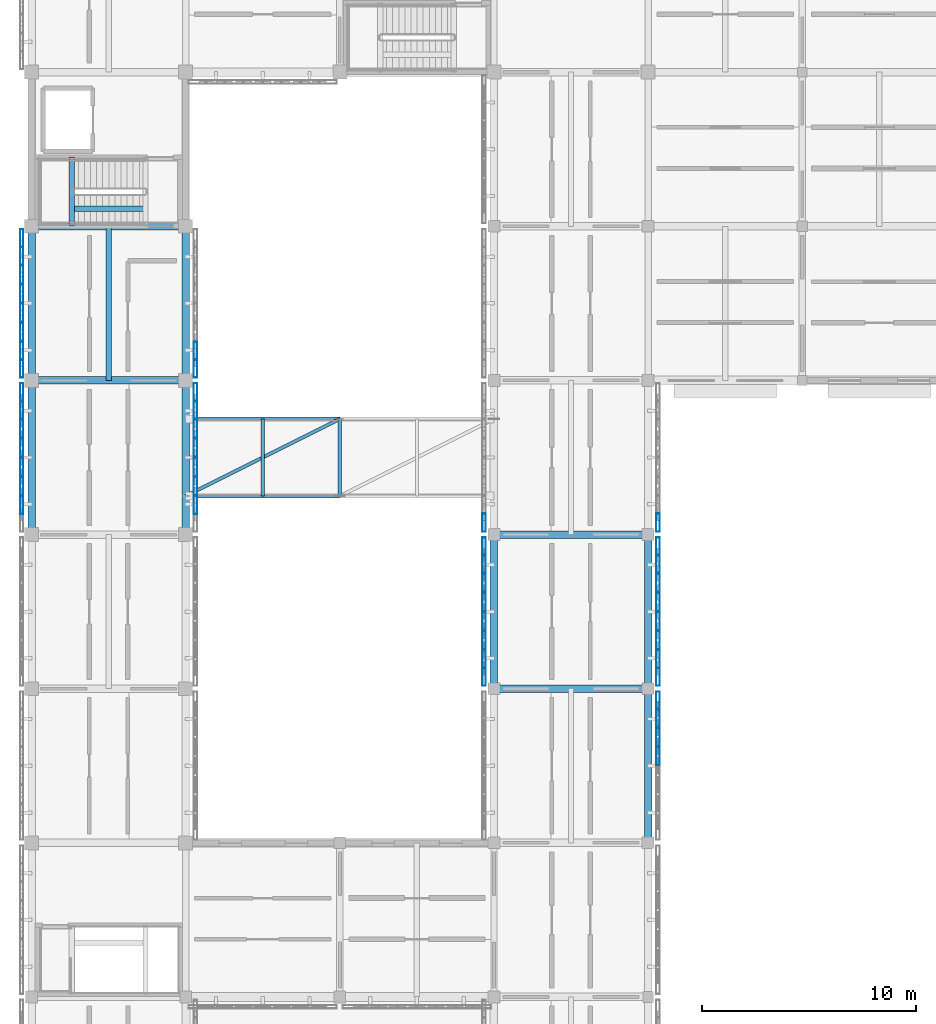
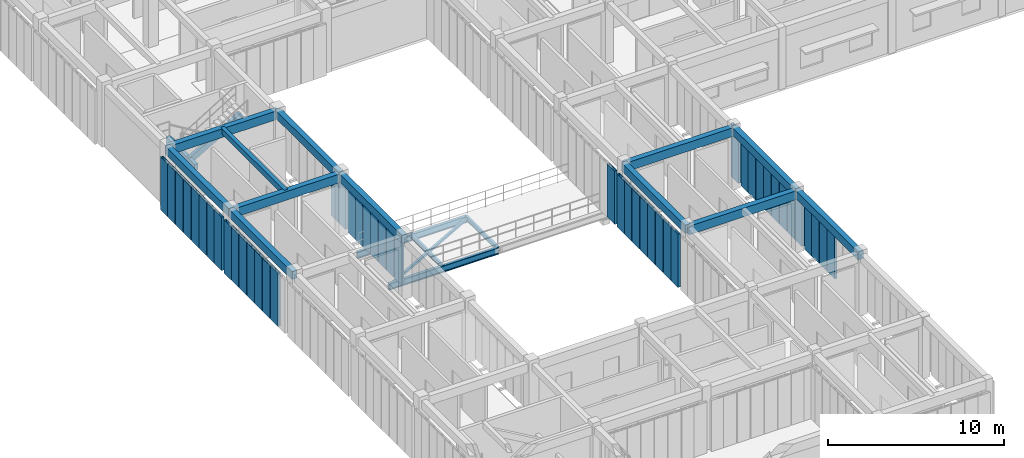
# One storey, part 8 of 91: 47 members, 18 beams, 9 elements without a shape of their own.
"""IFC4 building model written with IfcOpenShell, lengths in metres."""

from ifc_helpers import new_model, si_unit, direction, frame, origin, origin_2d, place, context, subcontext, project, spatial, rectangle, hollow_rectangle, i_section, extrude, material, material_profile, profile_set, type_object, element, aggregate, save


model = new_model("IFC4")

# Units and contexts
model_context = context("Model", 3, precision=1e-05, world=origin(), true_north=direction((0.0, 1.0)))
body_context = subcontext(model_context, "Body", "Model", "MODEL_VIEW")
ifc_project = project(units=[si_unit("LENGTHUNIT", "METRE"), si_unit("AREAUNIT", "SQUARE_METRE"), si_unit("VOLUMEUNIT", "CUBIC_METRE"), si_unit("PLANEANGLEUNIT", "RADIAN"), si_unit("MASSUNIT", "GRAM", prefix="KILO")], contexts=[model_context])

# Site, building, storey
site_placement = place(None, origin())
site = spatial("IfcSite", under=ifc_project, at=site_placement, CompositionType="ELEMENT")
building_placement = place(site_placement, origin())
building = spatial("IfcBuilding", under=site, at=building_placement, Name="Aldebral Square Health Centre", CompositionType="ELEMENT")
storey_placement = place(building_placement, frame((0.0, 0.0, 9.0)))
storey = spatial("IfcBuildingStorey", under=building, at=storey_placement, Name="L02", CompositionType="ELEMENT", Elevation=9.0)

# Beams
ifc_material_1 = material(Name="Concrete C40/50", Category="concrete")
ifc_material_profile_1 = material_profile(ifc_material_1, rectangle(XDim=0.35009765625, YDim=0.60009765625, at=origin_2d()), Name="RC 350x600")
ifc_profile_set_1 = profile_set([ifc_material_profile_1], Name="Concrete C40/50")
beam_type_1 = type_object("IfcBeamType", Name="BM-B2", PredefinedType="BEAM", material=ifc_profile_set_1)
for number, where, z_axis, x_axis, name in (
    (1, (0.0, 86.39990234375, 3.93994140625), (1.0, 0.0, 0.0), (0.0, 1.0, 0.0), "L02 X-beam 1-2/G13"),
    (2, (0.0, 93.60009765625, 3.93994140625), (1.0, 0.0, 0.0), (0.0, 1.0, 0.0), "L02 X-beam 1-2/G14"),
    (3, (21.60009765625, 72.0, 3.93994140625), (1.0, 0.0, 0.0), (0.0, 1.0, 0.0), "L02 X-beam 4-5/G11"),
    (4, (21.60009765625, 79.199951171875, 3.93994140625), (1.0, 0.0, 0.0), (0.0, 1.0, 0.0), "L02 X-beam 4-5/G12"),
):
    element("IfcBeam", number, at=place(storey_placement, frame(where, z_axis=z_axis, x_axis=x_axis)), inside=storey, type_object=beam_type_1, Name=name, PredefinedType="BEAM", context=body_context, shape_type="SweptSolid", body=[
        extrude(rectangle(XDim=0.35009765625, YDim=0.60009765625, at=origin_2d()), origin(), (0.0, 0.0, 1.0), 7.199951171875),
    ])
ifc_material_profile_2 = material_profile(ifc_material_1, rectangle(XDim=0.35009765625, YDim=0.550048828125, at=origin_2d()), Name="RC 350x550")
ifc_profile_set_2 = profile_set([ifc_material_profile_2], Name="Concrete C40/50")
beam_type_2 = type_object("IfcBeamType", Name="BM-B3", PredefinedType="BEAM", material=ifc_profile_set_2)
beam_1_placement = place(storey_placement, frame((0.0, 79.199951171875, 3.965087890625), z_axis=(0.0, 1.0, 0.0), x_axis=(-1.0, 0.0, 0.0)))
element("IfcBeam", 5, at=beam_1_placement, inside=storey, type_object=beam_type_2, Name="L02 Y-beam G1/12-13", PredefinedType="BEAM", context=body_context, shape_type="SweptSolid", body=[
    extrude(rectangle(XDim=0.35009765625, YDim=0.550048828125, at=origin_2d()), origin(), (0.0, 0.0, 1.0), 7.199951171875),
])
beam_2_placement = place(storey_placement, frame((0.0, 86.39990234375, 3.965087890625), z_axis=(0.0, 1.0, 0.0), x_axis=(-1.0, 0.0, 0.0)))
element("IfcBeam", 6, at=beam_2_placement, inside=storey, type_object=beam_type_2, Name="L02 Y-beam G1/13-14", PredefinedType="BEAM", context=body_context, shape_type="SweptSolid", body=[
    extrude(rectangle(XDim=0.35009765625, YDim=0.550048828125, at=origin_2d()), origin(), (0.0, 0.0, 1.0), 7.2001953125),
])
beam_3_placement = place(storey_placement, frame((7.199951171875, 79.199951171875, 3.965087890625), z_axis=(0.0, 1.0, 0.0), x_axis=(-1.0, 0.0, 0.0)))
element("IfcBeam", 7, at=beam_3_placement, inside=storey, type_object=beam_type_2, Name="L02 Y-beam G2/12-13", PredefinedType="BEAM", context=body_context, shape_type="SweptSolid", body=[
    extrude(rectangle(XDim=0.35009765625, YDim=0.550048828125, at=origin_2d()), origin(), (0.0, 0.0, 1.0), 7.199951171875),
])
beam_4_placement = place(storey_placement, frame((7.199951171875, 86.39990234375, 3.965087890625), z_axis=(0.0, 1.0, 0.0), x_axis=(-1.0, 0.0, 0.0)))
element("IfcBeam", 8, at=beam_4_placement, inside=storey, type_object=beam_type_2, Name="L02 Y-beam G2/13-14", PredefinedType="BEAM", context=body_context, shape_type="SweptSolid", body=[
    extrude(rectangle(XDim=0.35009765625, YDim=0.550048828125, at=origin_2d()), origin(), (0.0, 0.0, 1.0), 7.2001953125),
])
for number, where, z_axis, x_axis, name in (
    (9, (21.60009765625, 72.0, 3.965087890625), (0.0, 1.0, 0.0), (-1.0, 0.0, 0.0), "L02 Y-beam G4/11-12"),
    (10, (28.800048828125, 64.800048828125, 3.965087890625), (0.0, 1.0, 0.0), (-1.0, 0.0, 0.0), "L02 Y-beam G5/10-11"),
    (11, (28.800048828125, 72.0, 3.965087890625), (0.0, 1.0, 0.0), (-1.0, 0.0, 0.0), "L02 Y-beam G5/11-12"),
):
    element("IfcBeam", number, at=place(storey_placement, frame(where, z_axis=z_axis, x_axis=x_axis)), inside=storey, type_object=beam_type_2, Name=name, PredefinedType="BEAM", context=body_context, shape_type="SweptSolid", body=[
        extrude(rectangle(XDim=0.35009765625, YDim=0.550048828125, at=origin_2d()), origin(), (0.0, 0.0, 1.0), 7.199951171875),
    ])
ifc_material_profile_3 = material_profile(ifc_material_1, rectangle(XDim=0.25, YDim=0.39990234375, at=origin_2d()), Name="RC 250x400")
ifc_profile_set_3 = profile_set([ifc_material_profile_3], Name="Concrete C40/50")
beam_type_3 = type_object("IfcBeamType", Name="BM-B6", PredefinedType="JOIST", material=ifc_profile_set_3)
beam_5_placement = place(storey_placement, frame((3.60009765625, 86.39990234375, 4.0400390625), z_axis=(0.0, 1.0, 0.0), x_axis=(-1.0, 0.0, 0.0)))
element("IfcBeam", 12, at=beam_5_placement, inside=storey, type_object=beam_type_3, Name="L02 secondary rib 1.13", PredefinedType="JOIST", context=body_context, shape_type="SweptSolid", body=[
    extrude(rectangle(XDim=0.25, YDim=0.39990234375, at=origin_2d()), origin(), (0.0, 0.0, 1.0), 7.2001953125),
])
beam_6_placement = place(storey_placement, frame((1.8798828125, 93.610107421875, 2.050048828125), z_axis=(0.0, 1.0, 0.0), x_axis=(-1.0, 0.0, 0.0)))
element("IfcBeam", 13, at=beam_6_placement, inside=storey, type_object=beam_type_3, Name="L02 WC-C1 half-landing beam", PredefinedType="JOIST", context=body_context, shape_type="SweptSolid", body=[
    extrude(rectangle(XDim=0.25, YDim=0.39990234375, at=origin_2d()), origin(), (0.0, 0.0, 1.0), 3.219970703125),
])
beam_7_placement = place(storey_placement, frame((1.8798828125, 94.419921875, 2.050048828125), z_axis=(0.865611281387, 0.0, 0.500716596025), x_axis=(0.0, 1.0, 0.0)))
element("IfcBeam", 14, at=beam_7_placement, inside=storey, type_object=beam_type_3, Name="L02 WC-C1 flight stringer beam", PredefinedType="JOIST", context=body_context, shape_type="SweptSolid", body=[
    extrude(rectangle(XDim=0.25, YDim=0.39990234375, at=origin_2d()), origin(), (0.0, 0.0, 1.0), 3.974365234375),
])
ifc_material_2 = material(Name="Steel S355JR", Category="steel")
ifc_material_profile_4 = material_profile(ifc_material_2, i_section(OverallWidth=0.18994140625, OverallDepth=0.449951171875, WebThickness=0.009521484375, FlangeThickness=0.0146484375, FilletRadius=0.02099609375, at=origin_2d()), Name="IPE 450")
ifc_profile_set_4 = profile_set([ifc_material_profile_4], Name="Steel S355JR")
beam_type_4 = type_object("IfcBeamType", Name="BM-ST1", PredefinedType="T_BEAM", material=ifc_profile_set_4)
for number, where, z_axis, x_axis, name in (
    (15, (7.199951171875, 81.0, -0.445068359375), (1.0, 0.0, 0.0), (0.0, 1.0, 0.0), "West Light Court Bridge L02 edge girder 1.1"),
    (16, (7.199951171875, 84.60009765625, -0.445068359375), (1.0, 0.0, 0.0), (0.0, 1.0, 0.0), "West Light Court Bridge L02 edge girder 2.1"),
):
    element("IfcBeam", number, at=place(storey_placement, frame(where, z_axis=z_axis, x_axis=x_axis)), inside=storey, type_object=beam_type_4, Name=name, PredefinedType="T_BEAM", context=body_context, shape_type="SweptSolid", body=[
        extrude(i_section(OverallWidth=0.18994140625, OverallDepth=0.449951171875, WebThickness=0.009521484375, FlangeThickness=0.0146484375, FilletRadius=0.02099609375, at=origin_2d()), origin(), (0.0, 0.0, 1.0), 7.199951171875),
    ])
ifc_material_profile_5 = material_profile(ifc_material_2, i_section(OverallWidth=0.14990234375, OverallDepth=0.300048828125, WebThickness=0.007080078125, FlangeThickness=0.0107421875, FilletRadius=0.014892578125, at=origin_2d()), Name="IPE 300")
ifc_profile_set_5 = profile_set([ifc_material_profile_5], Name="Steel S355JR")
beam_type_5 = type_object("IfcBeamType", Name="BM-ST4", PredefinedType="BEAM", material=ifc_profile_set_5)
for number, where, z_axis, x_axis, name in (
    (17, (10.800048828125, 81.0, -0.3701171875), (0.0, 1.0, 0.0), (-1.0, 0.0, 0.0), "West Light Court Bridge L02 cross beam 2"),
    (18, (14.39990234375, 81.0, -0.3701171875), (0.0, 1.0, 0.0), (-1.0, 0.0, 0.0), "West Light Court Bridge L02 cross beam 3"),
):
    element("IfcBeam", number, at=place(storey_placement, frame(where, z_axis=z_axis, x_axis=x_axis)), inside=storey, type_object=beam_type_5, Name=name, PredefinedType="BEAM", context=body_context, shape_type="SweptSolid", body=[
        extrude(i_section(OverallWidth=0.14990234375, OverallDepth=0.300048828125, WebThickness=0.007080078125, FlangeThickness=0.0107421875, FilletRadius=0.014892578125, at=origin_2d()), origin(), (0.0, 0.0, 1.0), 3.60009765625),
    ])

# Curtain wall, members
ifc_material_3 = material(Name="Aluminium and low-E solar glass", Category="aluminium")
curtain_wall_type = type_object("IfcCurtainWallType", Name="CW-FIN-SYS", PredefinedType="USERDEFINED", material=ifc_material_3)
curtain_wall_1_placement = place(storey_placement, origin())
curtain_wall_1 = element("IfcCurtainWall", 19, at=curtain_wall_1_placement, inside=storey, type_object=curtain_wall_type, Name="L02 V4 finned curtain wall L02-V4-00-11-W", ObjectType="SOLAR_CURTAIN_WALL", PredefinedType="USERDEFINED")
ifc_material_4 = material(Name="Sienna-terracotta clad aluminium fin", Category="masonry")
ifc_material_profile_6 = material_profile(ifc_material_4, hollow_rectangle(XDim=0.159912109375, YDim=0.85009765625, WallThickness=0.006103515625, at=origin_2d()), Name="FIN 160x850x6")
ifc_profile_set_6 = profile_set([ifc_material_profile_6], Name="Sienna-terracotta clad aluminium fin")
member_type_1 = type_object("IfcMemberType", Name="CWM-FIN", PredefinedType="MULLION", material=ifc_profile_set_6)
member_1_placement = place(storey_placement, frame((-0.4599609375, 85.840087890625, 0.0), z_axis=(0.0, 0.0, 1.0), x_axis=(1.0, 0.0, 0.0)))
member_1 = element("IfcMember", 20, at=member_1_placement, type_object=member_type_1, Name="CW1 mullion 1", PredefinedType="MULLION", context=body_context, shape_type="SweptSolid", body=[
    extrude(hollow_rectangle(XDim=0.159912109375, YDim=0.85009765625, WallThickness=0.006103515625, at=origin_2d()), origin(), (0.0, 0.0, 1.0), 3.68994140625),
])
member_2_placement = place(storey_placement, frame((-0.4599609375, 85.028564453125, 0.0), z_axis=(0.0, 0.0, 1.0), x_axis=(1.0, 0.0, 0.0)))
member_2 = element("IfcMember", 21, at=member_2_placement, type_object=member_type_1, Name="CW1 mullion 2", PredefinedType="MULLION", context=body_context, shape_type="SweptSolid", body=[
    extrude(hollow_rectangle(XDim=0.159912109375, YDim=0.85009765625, WallThickness=0.006103515625, at=origin_2d()), origin(), (0.0, 0.0, 1.0), 3.68994140625),
])
member_3_placement = place(storey_placement, frame((-0.4599609375, 84.13720703125, 0.0), z_axis=(0.0, 0.0, 1.0), x_axis=(1.0, 0.0, 0.0)))
member_3 = element("IfcMember", 22, at=member_3_placement, type_object=member_type_1, Name="CW1 mullion 3", PredefinedType="MULLION", context=body_context, shape_type="SweptSolid", body=[
    extrude(hollow_rectangle(XDim=0.159912109375, YDim=0.85009765625, WallThickness=0.006103515625, at=origin_2d()), origin(), (0.0, 0.0, 1.0), 3.68994140625),
])
member_4_placement = place(storey_placement, frame((-0.4599609375, 83.24560546875, 0.0), z_axis=(0.0, 0.0, 1.0), x_axis=(1.0, 0.0, 0.0)))
member_4 = element("IfcMember", 23, at=member_4_placement, type_object=member_type_1, Name="CW1 mullion 4", PredefinedType="MULLION", context=body_context, shape_type="SweptSolid", body=[
    extrude(hollow_rectangle(XDim=0.159912109375, YDim=0.85009765625, WallThickness=0.006103515625, at=origin_2d()), origin(), (0.0, 0.0, 1.0), 3.68994140625),
])
member_5_placement = place(storey_placement, frame((-0.4599609375, 82.354248046875, 0.0), z_axis=(0.0, 0.0, 1.0), x_axis=(1.0, 0.0, 0.0)))
member_5 = element("IfcMember", 24, at=member_5_placement, type_object=member_type_1, Name="CW1 mullion 5", PredefinedType="MULLION", context=body_context, shape_type="SweptSolid", body=[
    extrude(hollow_rectangle(XDim=0.159912109375, YDim=0.85009765625, WallThickness=0.006103515625, at=origin_2d()), origin(), (0.0, 0.0, 1.0), 3.68994140625),
])
member_6_placement = place(storey_placement, frame((-0.4599609375, 81.462890625, 0.0), z_axis=(0.0, 0.0, 1.0), x_axis=(1.0, 0.0, 0.0)))
member_6 = element("IfcMember", 25, at=member_6_placement, type_object=member_type_1, Name="CW1 mullion 6", PredefinedType="MULLION", context=body_context, shape_type="SweptSolid", body=[
    extrude(hollow_rectangle(XDim=0.159912109375, YDim=0.85009765625, WallThickness=0.006103515625, at=origin_2d()), origin(), (0.0, 0.0, 1.0), 3.68994140625),
])
member_7_placement = place(storey_placement, frame((-0.4599609375, 80.571533203125, 0.0), z_axis=(0.0, 0.0, 1.0), x_axis=(1.0, 0.0, 0.0)))
member_7 = element("IfcMember", 26, at=member_7_placement, type_object=member_type_1, Name="CW1 mullion 7", PredefinedType="MULLION", context=body_context, shape_type="SweptSolid", body=[
    extrude(hollow_rectangle(XDim=0.159912109375, YDim=0.85009765625, WallThickness=0.006103515625, at=origin_2d()), origin(), (0.0, 0.0, 1.0), 3.68994140625),
])
aggregate(curtain_wall_1, [member_1, member_2, member_3, member_4, member_5, member_6, member_7])

curtain_wall_2_placement = place(storey_placement, origin())
curtain_wall_2 = element("IfcCurtainWall", 27, at=curtain_wall_2_placement, inside=storey, type_object=curtain_wall_type, Name="L02 V4 finned curtain wall L02-V4-00-11-E", ObjectType="SOLAR_CURTAIN_WALL", PredefinedType="USERDEFINED")
member_8_placement = place(storey_placement, frame((7.659912109375, 80.571533203125, 0.0), z_axis=(0.0, 0.0, 1.0), x_axis=(-1.0, 0.0, 0.0)))
member_8 = element("IfcMember", 28, at=member_8_placement, type_object=member_type_1, Name="CW1 mullion 2", PredefinedType="MULLION", context=body_context, shape_type="SweptSolid", body=[
    extrude(hollow_rectangle(XDim=0.159912109375, YDim=0.85009765625, WallThickness=0.006103515625, at=origin_2d()), origin(), (0.0, 0.0, 1.0), 3.68994140625),
])
member_9_placement = place(storey_placement, frame((7.659912109375, 81.462890625, 0.0), z_axis=(0.0, 0.0, 1.0), x_axis=(-1.0, 0.0, 0.0)))
member_9 = element("IfcMember", 29, at=member_9_placement, type_object=member_type_1, Name="CW1 mullion 3", PredefinedType="MULLION", context=body_context, shape_type="SweptSolid", body=[
    extrude(hollow_rectangle(XDim=0.159912109375, YDim=0.85009765625, WallThickness=0.006103515625, at=origin_2d()), origin(), (0.0, 0.0, 1.0), 3.68994140625),
])
member_10_placement = place(storey_placement, frame((7.659912109375, 82.354248046875, 0.0), z_axis=(0.0, 0.0, 1.0), x_axis=(-1.0, 0.0, 0.0)))
member_10 = element("IfcMember", 30, at=member_10_placement, type_object=member_type_1, Name="CW1 mullion 4", PredefinedType="MULLION", context=body_context, shape_type="SweptSolid", body=[
    extrude(hollow_rectangle(XDim=0.159912109375, YDim=0.85009765625, WallThickness=0.006103515625, at=origin_2d()), origin(), (0.0, 0.0, 1.0), 3.68994140625),
])
member_11_placement = place(storey_placement, frame((7.659912109375, 83.24560546875, 0.0), z_axis=(0.0, 0.0, 1.0), x_axis=(-1.0, 0.0, 0.0)))
member_11 = element("IfcMember", 31, at=member_11_placement, type_object=member_type_1, Name="CW1 mullion 5", PredefinedType="MULLION", context=body_context, shape_type="SweptSolid", body=[
    extrude(hollow_rectangle(XDim=0.159912109375, YDim=0.85009765625, WallThickness=0.006103515625, at=origin_2d()), origin(), (0.0, 0.0, 1.0), 3.68994140625),
])
member_12_placement = place(storey_placement, frame((7.659912109375, 84.13720703125, 0.0), z_axis=(0.0, 0.0, 1.0), x_axis=(-1.0, 0.0, 0.0)))
member_12 = element("IfcMember", 32, at=member_12_placement, type_object=member_type_1, Name="CW1 mullion 6", PredefinedType="MULLION", context=body_context, shape_type="SweptSolid", body=[
    extrude(hollow_rectangle(XDim=0.159912109375, YDim=0.85009765625, WallThickness=0.006103515625, at=origin_2d()), origin(), (0.0, 0.0, 1.0), 3.68994140625),
])
member_13_placement = place(storey_placement, frame((7.659912109375, 85.028564453125, 0.0), z_axis=(0.0, 0.0, 1.0), x_axis=(-1.0, 0.0, 0.0)))
member_13 = element("IfcMember", 33, at=member_13_placement, type_object=member_type_1, Name="CW1 mullion 7", PredefinedType="MULLION", context=body_context, shape_type="SweptSolid", body=[
    extrude(hollow_rectangle(XDim=0.159912109375, YDim=0.85009765625, WallThickness=0.006103515625, at=origin_2d()), origin(), (0.0, 0.0, 1.0), 3.68994140625),
])
member_14_placement = place(storey_placement, frame((7.659912109375, 85.840087890625, 0.0), z_axis=(0.0, 0.0, 1.0), x_axis=(-1.0, 0.0, 0.0)))
member_14 = element("IfcMember", 34, at=member_14_placement, type_object=member_type_1, Name="CW1 mullion 8", PredefinedType="MULLION", context=body_context, shape_type="SweptSolid", body=[
    extrude(hollow_rectangle(XDim=0.159912109375, YDim=0.85009765625, WallThickness=0.006103515625, at=origin_2d()), origin(), (0.0, 0.0, 1.0), 3.68994140625),
])
aggregate(curtain_wall_2, [member_8, member_9, member_10, member_11, member_12, member_13, member_14])

curtain_wall_3_placement = place(storey_placement, origin())
curtain_wall_3 = element("IfcCurtainWall", 35, at=curtain_wall_3_placement, inside=storey, type_object=curtain_wall_type, Name="L02 V4 finned curtain wall L02-V4-00-12-W", ObjectType="SOLAR_CURTAIN_WALL", PredefinedType="USERDEFINED")
member_15_placement = place(storey_placement, frame((-0.4599609375, 93.0400390625, 0.0), z_axis=(0.0, 0.0, 1.0), x_axis=(1.0, 0.0, 0.0)))
member_15 = element("IfcMember", 36, at=member_15_placement, type_object=member_type_1, Name="CW1 mullion 1", PredefinedType="MULLION", context=body_context, shape_type="SweptSolid", body=[
    extrude(hollow_rectangle(XDim=0.159912109375, YDim=0.85009765625, WallThickness=0.006103515625, at=origin_2d()), origin(), (0.0, 0.0, 1.0), 3.68994140625),
])
member_16_placement = place(storey_placement, frame((-0.4599609375, 92.228515625, 0.0), z_axis=(0.0, 0.0, 1.0), x_axis=(1.0, 0.0, 0.0)))
member_16 = element("IfcMember", 37, at=member_16_placement, type_object=member_type_1, Name="CW1 mullion 2", PredefinedType="MULLION", context=body_context, shape_type="SweptSolid", body=[
    extrude(hollow_rectangle(XDim=0.159912109375, YDim=0.85009765625, WallThickness=0.006103515625, at=origin_2d()), origin(), (0.0, 0.0, 1.0), 3.68994140625),
])
member_17_placement = place(storey_placement, frame((-0.4599609375, 91.337158203125, 0.0), z_axis=(0.0, 0.0, 1.0), x_axis=(1.0, 0.0, 0.0)))
member_17 = element("IfcMember", 38, at=member_17_placement, type_object=member_type_1, Name="CW1 mullion 3", PredefinedType="MULLION", context=body_context, shape_type="SweptSolid", body=[
    extrude(hollow_rectangle(XDim=0.159912109375, YDim=0.85009765625, WallThickness=0.006103515625, at=origin_2d()), origin(), (0.0, 0.0, 1.0), 3.68994140625),
])
member_18_placement = place(storey_placement, frame((-0.4599609375, 90.44580078125, 0.0), z_axis=(0.0, 0.0, 1.0), x_axis=(1.0, 0.0, 0.0)))
member_18 = element("IfcMember", 39, at=member_18_placement, type_object=member_type_1, Name="CW1 mullion 4", PredefinedType="MULLION", context=body_context, shape_type="SweptSolid", body=[
    extrude(hollow_rectangle(XDim=0.159912109375, YDim=0.85009765625, WallThickness=0.006103515625, at=origin_2d()), origin(), (0.0, 0.0, 1.0), 3.68994140625),
])
member_19_placement = place(storey_placement, frame((-0.4599609375, 89.55419921875, 0.0), z_axis=(0.0, 0.0, 1.0), x_axis=(1.0, 0.0, 0.0)))
member_19 = element("IfcMember", 40, at=member_19_placement, type_object=member_type_1, Name="CW1 mullion 5", PredefinedType="MULLION", context=body_context, shape_type="SweptSolid", body=[
    extrude(hollow_rectangle(XDim=0.159912109375, YDim=0.85009765625, WallThickness=0.006103515625, at=origin_2d()), origin(), (0.0, 0.0, 1.0), 3.68994140625),
])
member_20_placement = place(storey_placement, frame((-0.4599609375, 88.662841796875, 0.0), z_axis=(0.0, 0.0, 1.0), x_axis=(1.0, 0.0, 0.0)))
member_20 = element("IfcMember", 41, at=member_20_placement, type_object=member_type_1, Name="CW1 mullion 6", PredefinedType="MULLION", context=body_context, shape_type="SweptSolid", body=[
    extrude(hollow_rectangle(XDim=0.159912109375, YDim=0.85009765625, WallThickness=0.006103515625, at=origin_2d()), origin(), (0.0, 0.0, 1.0), 3.68994140625),
])
member_21_placement = place(storey_placement, frame((-0.4599609375, 87.771484375, 0.0), z_axis=(0.0, 0.0, 1.0), x_axis=(1.0, 0.0, 0.0)))
member_21 = element("IfcMember", 42, at=member_21_placement, type_object=member_type_1, Name="CW1 mullion 7", PredefinedType="MULLION", context=body_context, shape_type="SweptSolid", body=[
    extrude(hollow_rectangle(XDim=0.159912109375, YDim=0.85009765625, WallThickness=0.006103515625, at=origin_2d()), origin(), (0.0, 0.0, 1.0), 3.68994140625),
])
member_22_placement = place(storey_placement, frame((-0.4599609375, 86.9599609375, 0.0), z_axis=(0.0, 0.0, 1.0), x_axis=(1.0, 0.0, 0.0)))
member_22 = element("IfcMember", 43, at=member_22_placement, type_object=member_type_1, Name="CW1 mullion 8", PredefinedType="MULLION", context=body_context, shape_type="SweptSolid", body=[
    extrude(hollow_rectangle(XDim=0.159912109375, YDim=0.85009765625, WallThickness=0.006103515625, at=origin_2d()), origin(), (0.0, 0.0, 1.0), 3.68994140625),
])
aggregate(curtain_wall_3, [member_15, member_16, member_17, member_18, member_19, member_20, member_21, member_22])

curtain_wall_4_placement = place(storey_placement, origin())
curtain_wall_4 = element("IfcCurtainWall", 44, at=curtain_wall_4_placement, inside=storey, type_object=curtain_wall_type, Name="L02 V4 finned curtain wall L02-V4-00-12-E", ObjectType="SOLAR_CURTAIN_WALL", PredefinedType="USERDEFINED")
member_23_placement = place(storey_placement, frame((7.659912109375, 86.9599609375, 0.0), z_axis=(0.0, 0.0, 1.0), x_axis=(-1.0, 0.0, 0.0)))
member_23 = element("IfcMember", 45, at=member_23_placement, type_object=member_type_1, Name="CW1 mullion 1", PredefinedType="MULLION", context=body_context, shape_type="SweptSolid", body=[
    extrude(hollow_rectangle(XDim=0.159912109375, YDim=0.85009765625, WallThickness=0.006103515625, at=origin_2d()), origin(), (0.0, 0.0, 1.0), 3.68994140625),
])
member_24_placement = place(storey_placement, frame((7.659912109375, 87.771484375, 0.0), z_axis=(0.0, 0.0, 1.0), x_axis=(-1.0, 0.0, 0.0)))
member_24 = element("IfcMember", 46, at=member_24_placement, type_object=member_type_1, Name="CW1 mullion 2", PredefinedType="MULLION", context=body_context, shape_type="SweptSolid", body=[
    extrude(hollow_rectangle(XDim=0.159912109375, YDim=0.85009765625, WallThickness=0.006103515625, at=origin_2d()), origin(), (0.0, 0.0, 1.0), 3.68994140625),
])
aggregate(curtain_wall_4, [member_23, member_24])

curtain_wall_5_placement = place(storey_placement, origin())
curtain_wall_5 = element("IfcCurtainWall", 47, at=curtain_wall_5_placement, inside=storey, type_object=curtain_wall_type, Name="L02 V4 finned curtain wall L02-V4-03-09-E", ObjectType="SOLAR_CURTAIN_WALL", PredefinedType="USERDEFINED")
member_25_placement = place(storey_placement, frame((29.260009765625, 68.845703125, 0.0), z_axis=(0.0, 0.0, 1.0), x_axis=(-1.0, 0.0, 0.0)))
member_25 = element("IfcMember", 48, at=member_25_placement, type_object=member_type_1, Name="CW1 mullion 5", PredefinedType="MULLION", context=body_context, shape_type="SweptSolid", body=[
    extrude(hollow_rectangle(XDim=0.159912109375, YDim=0.85009765625, WallThickness=0.006103515625, at=origin_2d()), origin(), (0.0, 0.0, 1.0), 3.68994140625),
])
member_26_placement = place(storey_placement, frame((29.260009765625, 69.737060546875, 0.0), z_axis=(0.0, 0.0, 1.0), x_axis=(-1.0, 0.0, 0.0)))
member_26 = element("IfcMember", 49, at=member_26_placement, type_object=member_type_1, Name="CW1 mullion 6", PredefinedType="MULLION", context=body_context, shape_type="SweptSolid", body=[
    extrude(hollow_rectangle(XDim=0.159912109375, YDim=0.85009765625, WallThickness=0.006103515625, at=origin_2d()), origin(), (0.0, 0.0, 1.0), 3.68994140625),
])
member_27_placement = place(storey_placement, frame((29.260009765625, 70.628662109375, 0.0), z_axis=(0.0, 0.0, 1.0), x_axis=(-1.0, 0.0, 0.0)))
member_27 = element("IfcMember", 50, at=member_27_placement, type_object=member_type_1, Name="CW1 mullion 7", PredefinedType="MULLION", context=body_context, shape_type="SweptSolid", body=[
    extrude(hollow_rectangle(XDim=0.159912109375, YDim=0.85009765625, WallThickness=0.006103515625, at=origin_2d()), origin(), (0.0, 0.0, 1.0), 3.68994140625),
])
member_28_placement = place(storey_placement, frame((29.260009765625, 71.43994140625, 0.0), z_axis=(0.0, 0.0, 1.0), x_axis=(-1.0, 0.0, 0.0)))
member_28 = element("IfcMember", 51, at=member_28_placement, type_object=member_type_1, Name="CW1 mullion 8", PredefinedType="MULLION", context=body_context, shape_type="SweptSolid", body=[
    extrude(hollow_rectangle(XDim=0.159912109375, YDim=0.85009765625, WallThickness=0.006103515625, at=origin_2d()), origin(), (0.0, 0.0, 1.0), 3.68994140625),
])
aggregate(curtain_wall_5, [member_25, member_26, member_27, member_28])

curtain_wall_6_placement = place(storey_placement, origin())
curtain_wall_6 = element("IfcCurtainWall", 52, at=curtain_wall_6_placement, inside=storey, type_object=curtain_wall_type, Name="L02 V4 finned curtain wall L02-V4-03-10-W", ObjectType="SOLAR_CURTAIN_WALL", PredefinedType="USERDEFINED")
member_29_placement = place(storey_placement, frame((21.139892578125, 78.639892578125, 0.0), z_axis=(0.0, 0.0, 1.0), x_axis=(1.0, 0.0, 0.0)))
member_29 = element("IfcMember", 53, at=member_29_placement, type_object=member_type_1, Name="CW1 mullion 1", PredefinedType="MULLION", context=body_context, shape_type="SweptSolid", body=[
    extrude(hollow_rectangle(XDim=0.159912109375, YDim=0.85009765625, WallThickness=0.006103515625, at=origin_2d()), origin(), (0.0, 0.0, 1.0), 3.68994140625),
])
member_30_placement = place(storey_placement, frame((21.139892578125, 77.82861328125, 0.0), z_axis=(0.0, 0.0, 1.0), x_axis=(1.0, 0.0, 0.0)))
member_30 = element("IfcMember", 54, at=member_30_placement, type_object=member_type_1, Name="CW1 mullion 2", PredefinedType="MULLION", context=body_context, shape_type="SweptSolid", body=[
    extrude(hollow_rectangle(XDim=0.159912109375, YDim=0.85009765625, WallThickness=0.006103515625, at=origin_2d()), origin(), (0.0, 0.0, 1.0), 3.68994140625),
])
member_31_placement = place(storey_placement, frame((21.139892578125, 76.937255859375, 0.0), z_axis=(0.0, 0.0, 1.0), x_axis=(1.0, 0.0, 0.0)))
member_31 = element("IfcMember", 55, at=member_31_placement, type_object=member_type_1, Name="CW1 mullion 3", PredefinedType="MULLION", context=body_context, shape_type="SweptSolid", body=[
    extrude(hollow_rectangle(XDim=0.159912109375, YDim=0.85009765625, WallThickness=0.006103515625, at=origin_2d()), origin(), (0.0, 0.0, 1.0), 3.68994140625),
])
member_32_placement = place(storey_placement, frame((21.139892578125, 76.045654296875, 0.0), z_axis=(0.0, 0.0, 1.0), x_axis=(1.0, 0.0, 0.0)))
member_32 = element("IfcMember", 56, at=member_32_placement, type_object=member_type_1, Name="CW1 mullion 4", PredefinedType="MULLION", context=body_context, shape_type="SweptSolid", body=[
    extrude(hollow_rectangle(XDim=0.159912109375, YDim=0.85009765625, WallThickness=0.006103515625, at=origin_2d()), origin(), (0.0, 0.0, 1.0), 3.68994140625),
])
member_33_placement = place(storey_placement, frame((21.139892578125, 75.154296875, 0.0), z_axis=(0.0, 0.0, 1.0), x_axis=(1.0, 0.0, 0.0)))
member_33 = element("IfcMember", 57, at=member_33_placement, type_object=member_type_1, Name="CW1 mullion 5", PredefinedType="MULLION", context=body_context, shape_type="SweptSolid", body=[
    extrude(hollow_rectangle(XDim=0.159912109375, YDim=0.85009765625, WallThickness=0.006103515625, at=origin_2d()), origin(), (0.0, 0.0, 1.0), 3.68994140625),
])
member_34_placement = place(storey_placement, frame((21.139892578125, 74.262939453125, 0.0), z_axis=(0.0, 0.0, 1.0), x_axis=(1.0, 0.0, 0.0)))
member_34 = element("IfcMember", 58, at=member_34_placement, type_object=member_type_1, Name="CW1 mullion 6", PredefinedType="MULLION", context=body_context, shape_type="SweptSolid", body=[
    extrude(hollow_rectangle(XDim=0.159912109375, YDim=0.85009765625, WallThickness=0.006103515625, at=origin_2d()), origin(), (0.0, 0.0, 1.0), 3.68994140625),
])
member_35_placement = place(storey_placement, frame((21.139892578125, 73.371337890625, 0.0), z_axis=(0.0, 0.0, 1.0), x_axis=(1.0, 0.0, 0.0)))
member_35 = element("IfcMember", 59, at=member_35_placement, type_object=member_type_1, Name="CW1 mullion 7", PredefinedType="MULLION", context=body_context, shape_type="SweptSolid", body=[
    extrude(hollow_rectangle(XDim=0.159912109375, YDim=0.85009765625, WallThickness=0.006103515625, at=origin_2d()), origin(), (0.0, 0.0, 1.0), 3.68994140625),
])
member_36_placement = place(storey_placement, frame((21.139892578125, 72.56005859375, 0.0), z_axis=(0.0, 0.0, 1.0), x_axis=(1.0, 0.0, 0.0)))
member_36 = element("IfcMember", 60, at=member_36_placement, type_object=member_type_1, Name="CW1 mullion 8", PredefinedType="MULLION", context=body_context, shape_type="SweptSolid", body=[
    extrude(hollow_rectangle(XDim=0.159912109375, YDim=0.85009765625, WallThickness=0.006103515625, at=origin_2d()), origin(), (0.0, 0.0, 1.0), 3.68994140625),
])
aggregate(curtain_wall_6, [member_29, member_30, member_31, member_32, member_33, member_34, member_35, member_36])

curtain_wall_7_placement = place(storey_placement, origin())
curtain_wall_7 = element("IfcCurtainWall", 61, at=curtain_wall_7_placement, inside=storey, type_object=curtain_wall_type, Name="L02 V4 finned curtain wall L02-V4-03-10-E", ObjectType="SOLAR_CURTAIN_WALL", PredefinedType="USERDEFINED")
member_37_placement = place(storey_placement, frame((29.260009765625, 72.56005859375, 0.0), z_axis=(0.0, 0.0, 1.0), x_axis=(-1.0, 0.0, 0.0)))
member_37 = element("IfcMember", 62, at=member_37_placement, type_object=member_type_1, Name="CW1 mullion 1", PredefinedType="MULLION", context=body_context, shape_type="SweptSolid", body=[
    extrude(hollow_rectangle(XDim=0.159912109375, YDim=0.85009765625, WallThickness=0.006103515625, at=origin_2d()), origin(), (0.0, 0.0, 1.0), 3.68994140625),
])
member_38_placement = place(storey_placement, frame((29.260009765625, 73.371337890625, 0.0), z_axis=(0.0, 0.0, 1.0), x_axis=(-1.0, 0.0, 0.0)))
member_38 = element("IfcMember", 63, at=member_38_placement, type_object=member_type_1, Name="CW1 mullion 2", PredefinedType="MULLION", context=body_context, shape_type="SweptSolid", body=[
    extrude(hollow_rectangle(XDim=0.159912109375, YDim=0.85009765625, WallThickness=0.006103515625, at=origin_2d()), origin(), (0.0, 0.0, 1.0), 3.68994140625),
])
member_39_placement = place(storey_placement, frame((29.260009765625, 74.262939453125, 0.0), z_axis=(0.0, 0.0, 1.0), x_axis=(-1.0, 0.0, 0.0)))
member_39 = element("IfcMember", 64, at=member_39_placement, type_object=member_type_1, Name="CW1 mullion 3", PredefinedType="MULLION", context=body_context, shape_type="SweptSolid", body=[
    extrude(hollow_rectangle(XDim=0.159912109375, YDim=0.85009765625, WallThickness=0.006103515625, at=origin_2d()), origin(), (0.0, 0.0, 1.0), 3.68994140625),
])
member_40_placement = place(storey_placement, frame((29.260009765625, 75.154296875, 0.0), z_axis=(0.0, 0.0, 1.0), x_axis=(-1.0, 0.0, 0.0)))
member_40 = element("IfcMember", 65, at=member_40_placement, type_object=member_type_1, Name="CW1 mullion 4", PredefinedType="MULLION", context=body_context, shape_type="SweptSolid", body=[
    extrude(hollow_rectangle(XDim=0.159912109375, YDim=0.85009765625, WallThickness=0.006103515625, at=origin_2d()), origin(), (0.0, 0.0, 1.0), 3.68994140625),
])
member_41_placement = place(storey_placement, frame((29.260009765625, 76.045654296875, 0.0), z_axis=(0.0, 0.0, 1.0), x_axis=(-1.0, 0.0, 0.0)))
member_41 = element("IfcMember", 66, at=member_41_placement, type_object=member_type_1, Name="CW1 mullion 5", PredefinedType="MULLION", context=body_context, shape_type="SweptSolid", body=[
    extrude(hollow_rectangle(XDim=0.159912109375, YDim=0.85009765625, WallThickness=0.006103515625, at=origin_2d()), origin(), (0.0, 0.0, 1.0), 3.68994140625),
])
member_42_placement = place(storey_placement, frame((29.260009765625, 76.937255859375, 0.0), z_axis=(0.0, 0.0, 1.0), x_axis=(-1.0, 0.0, 0.0)))
member_42 = element("IfcMember", 67, at=member_42_placement, type_object=member_type_1, Name="CW1 mullion 6", PredefinedType="MULLION", context=body_context, shape_type="SweptSolid", body=[
    extrude(hollow_rectangle(XDim=0.159912109375, YDim=0.85009765625, WallThickness=0.006103515625, at=origin_2d()), origin(), (0.0, 0.0, 1.0), 3.68994140625),
])
member_43_placement = place(storey_placement, frame((29.260009765625, 77.82861328125, 0.0), z_axis=(0.0, 0.0, 1.0), x_axis=(-1.0, 0.0, 0.0)))
member_43 = element("IfcMember", 68, at=member_43_placement, type_object=member_type_1, Name="CW1 mullion 7", PredefinedType="MULLION", context=body_context, shape_type="SweptSolid", body=[
    extrude(hollow_rectangle(XDim=0.159912109375, YDim=0.85009765625, WallThickness=0.006103515625, at=origin_2d()), origin(), (0.0, 0.0, 1.0), 3.68994140625),
])
member_44_placement = place(storey_placement, frame((29.260009765625, 78.639892578125, 0.0), z_axis=(0.0, 0.0, 1.0), x_axis=(-1.0, 0.0, 0.0)))
member_44 = element("IfcMember", 69, at=member_44_placement, type_object=member_type_1, Name="CW1 mullion 8", PredefinedType="MULLION", context=body_context, shape_type="SweptSolid", body=[
    extrude(hollow_rectangle(XDim=0.159912109375, YDim=0.85009765625, WallThickness=0.006103515625, at=origin_2d()), origin(), (0.0, 0.0, 1.0), 3.68994140625),
])
aggregate(curtain_wall_7, [member_37, member_38, member_39, member_40, member_41, member_42, member_43, member_44])

# Curtain wall, member
curtain_wall_8_placement = place(storey_placement, origin())
curtain_wall_8 = element("IfcCurtainWall", 70, at=curtain_wall_8_placement, inside=storey, type_object=curtain_wall_type, Name="L02 V4 finned curtain wall L02-V4-03-11-W", ObjectType="SOLAR_CURTAIN_WALL", PredefinedType="USERDEFINED")
member_45_placement = place(storey_placement, frame((21.139892578125, 79.760009765625, 0.0), z_axis=(0.0, 0.0, 1.0), x_axis=(1.0, 0.0, 0.0)))
member_45 = element("IfcMember", 71, at=member_45_placement, type_object=member_type_1, Name="CW1 mullion 8", PredefinedType="MULLION", context=body_context, shape_type="SweptSolid", body=[
    extrude(hollow_rectangle(XDim=0.159912109375, YDim=0.85009765625, WallThickness=0.006103515625, at=origin_2d()), origin(), (0.0, 0.0, 1.0), 3.68994140625),
])
aggregate(curtain_wall_8, [member_45])

curtain_wall_9_placement = place(storey_placement, origin())
curtain_wall_9 = element("IfcCurtainWall", 72, at=curtain_wall_9_placement, inside=storey, type_object=curtain_wall_type, Name="L02 V4 finned curtain wall L02-V4-03-11-E", ObjectType="SOLAR_CURTAIN_WALL", PredefinedType="USERDEFINED")
member_46_placement = place(storey_placement, frame((29.260009765625, 79.760009765625, 0.0), z_axis=(0.0, 0.0, 1.0), x_axis=(-1.0, 0.0, 0.0)))
member_46 = element("IfcMember", 73, at=member_46_placement, type_object=member_type_1, Name="CW1 mullion 1", PredefinedType="MULLION", context=body_context, shape_type="SweptSolid", body=[
    extrude(hollow_rectangle(XDim=0.159912109375, YDim=0.85009765625, WallThickness=0.006103515625, at=origin_2d()), origin(), (0.0, 0.0, 1.0), 3.68994140625),
])
aggregate(curtain_wall_9, [member_46])

# Member
ifc_material_profile_7 = material_profile(ifc_material_2, hollow_rectangle(XDim=0.14990234375, YDim=0.14990234375, WallThickness=0.008056640625, at=origin_2d()), Name="150x150x8 SHS")
ifc_profile_set_7 = profile_set([ifc_material_profile_7], Name="Steel S355JR")
member_type_2 = type_object("IfcMemberType", Name="MEM-BR2", PredefinedType="BRACE", material=ifc_profile_set_7)
member_47_placement = place(storey_placement, frame((7.199951171875, 81.0, -0.445068359375), z_axis=(0.894421125195, 0.447225726904, 0.0), x_axis=(-0.447225726904, 0.894421125195, 0.0)))
element("IfcMember", 74, at=member_47_placement, inside=storey, type_object=member_type_2, Name="West Light Court Bridge L02 plan brace 1", PredefinedType="BRACE", context=body_context, shape_type="SweptSolid", body=[
    extrude(hollow_rectangle(XDim=0.14990234375, YDim=0.14990234375, WallThickness=0.008056640625, at=origin_2d()), origin(), (0.0, 0.0, 1.0), 8.0498046875),
])

save(model, "model.ifc")
